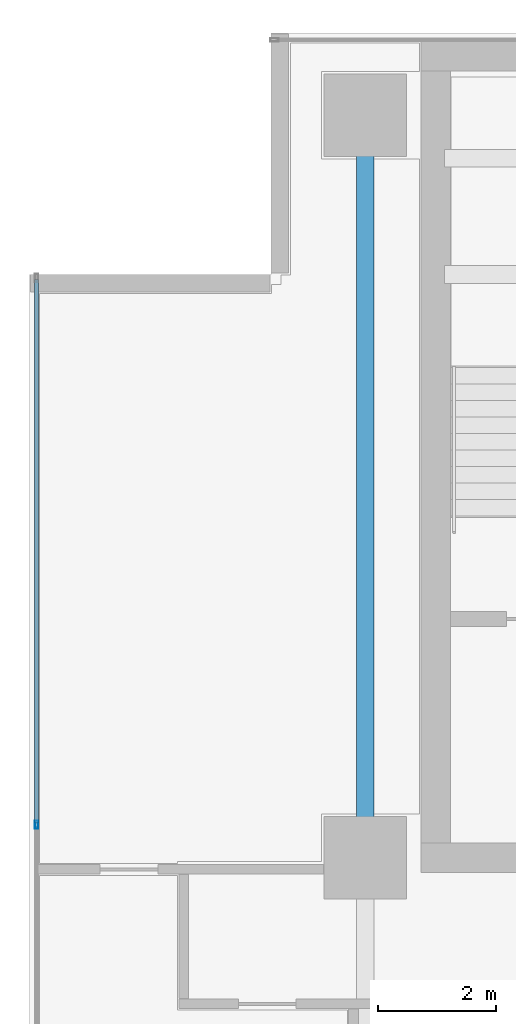
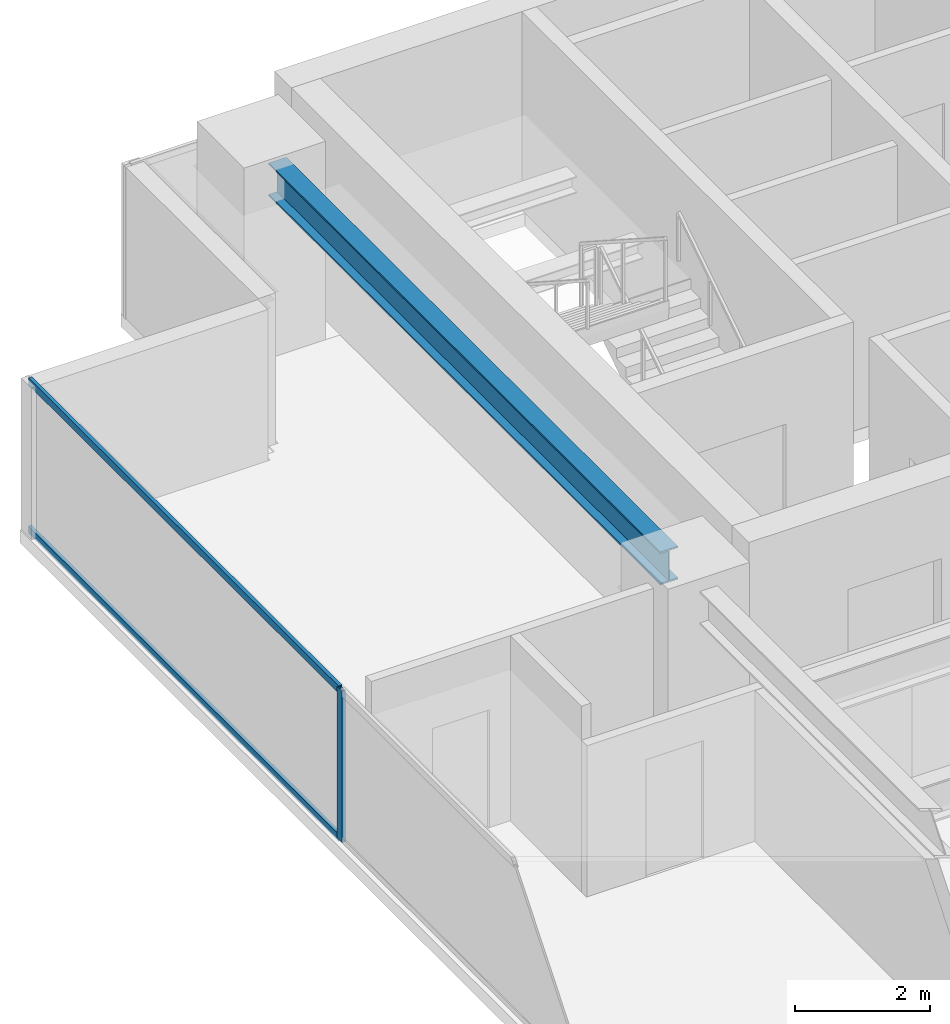
# One storey, part 9 of 26: 3 members, 1 beam, 1 element without a shape of its own.
"""IFC4 building model written with IfcOpenShell, lengths in metres."""

from ifc_helpers import new_model, si_unit, direction, frame, origin, origin_2d, place, context, subcontext, project, spatial, hollow_rectangle, i_section, extrude, source, transform, mapped, material, layer, layer_set, material_profile, profile_set, type_object, element, aggregate, save


model = new_model("IFC4")

# Units and contexts
model_context = context("Model", 3, precision=1e-05, world=origin(), true_north=direction((0.0, 1.0)))
body_context = subcontext(model_context, "Body", "Model", "MODEL_VIEW")
ifc_project = project(units=[si_unit("LENGTHUNIT", "METRE"), si_unit("AREAUNIT", "SQUARE_METRE"), si_unit("VOLUMEUNIT", "CUBIC_METRE"), si_unit("PLANEANGLEUNIT", "RADIAN"), si_unit("MASSUNIT", "GRAM", prefix="KILO")], contexts=[model_context])

# Site, building, storey
site_placement = place(None, origin())
site = spatial("IfcSite", under=ifc_project, at=site_placement, CompositionType="ELEMENT")
building_placement = place(site_placement, origin())
building = spatial("IfcBuilding", under=site, at=building_placement, Name="Sumidabori Civic Tower", CompositionType="ELEMENT")
storey_placement = place(building_placement, frame((0.0, 0.0, 261.199951171875)))
storey = spatial("IfcBuildingStorey", under=building, at=storey_placement, Name="L68", CompositionType="ELEMENT", Elevation=261.199951171875)

# Beam
ifc_material_1 = material(Name="Steel SN490", Category="steel")
ifc_material_profile_1 = material_profile(ifc_material_1, i_section(OverallWidth=0.300048828125, OverallDepth=0.60009765625, WebThickness=0.015380859375, FlangeThickness=0.030029296875, at=origin_2d()), Name="HE 600 B")
ifc_profile_set_1 = profile_set([ifc_material_profile_1], Name="Steel SN490")
beam_type = type_object("IfcBeamType", Name="BM-GIRD-600", PredefinedType="BEAM", material=ifc_profile_set_1)
shared_shape_1 = source(origin(), body_context, "Body", "SweptSolid", [
    extrude(i_section(OverallWidth=0.300048828125, OverallDepth=0.60009765625, WebThickness=0.015380859375, FlangeThickness=0.030029296875, at=origin_2d()), origin(), (0.0, 0.0, 1.0), 11.64013671875),
])
beam_placement = place(storey_placement, frame((-16.800048828125, 10.679931640625, 3.070068359375), z_axis=(0.0, 1.0, 0.0), x_axis=(-1.0, 0.0, 0.0)))
element("IfcBeam", 1, at=beam_placement, inside=storey, type_object=beam_type, Name="Primary Girder L68 GY-11", PredefinedType="BEAM", context=body_context, shape_type="MappedRepresentation", body=[
    mapped(shared_shape_1, transform((0.0, 0.0, 0.0), x_axis=(1.0, 0.0, 0.0), y_axis=(0.0, 1.0, 0.0), z_axis=(0.0, 0.0, 1.0), scale=1.0)),
])

# Curtain wall, members
ifc_material_2 = material(Name="Anodised Bronze Aluminium AW-6063-T6", Category="aluminium")
ifc_layer = layer(ifc_material_2, 0.179931640625, Name="Anodised Bronze Aluminium AW-6063-T6")
ifc_layer_set = layer_set([ifc_layer], Name="Anodised Bronze Aluminium AW-6063-T6")
curtain_wall_type = type_object("IfcCurtainWallType", Name="CW-SYS-5", PredefinedType="NOTDEFINED", material=ifc_layer_set)
curtain_wall_placement = place(storey_placement, origin())
curtain_wall = element("IfcCurtainWall", 2, at=curtain_wall_placement, inside=storey, type_object=curtain_wall_type, Name="Curtain Wall CW:L68:R10", PredefinedType="NOTDEFINED")
ifc_material_profile_2 = material_profile(ifc_material_2, hollow_rectangle(XDim=0.06005859375, YDim=0.139892578125, WallThickness=0.0048828125, at=origin_2d()), Name="ALU MULLION 140x60")
ifc_profile_set_2 = profile_set([ifc_material_profile_2], Name="Anodised Bronze Aluminium AW-6063-T6")
member_type_1 = type_object("IfcMemberType", Name="CW-MUL-140", PredefinedType="MULLION", material=ifc_profile_set_2)
shared_shape_2 = source(origin(), body_context, "Body", "SweptSolid", [
    extrude(hollow_rectangle(XDim=0.06005859375, YDim=0.139892578125, WallThickness=0.0048828125, at=origin_2d()), origin(), (0.0, 0.0, 1.0), 2.75),
])
member_1_placement = place(storey_placement, frame((-22.3798828125, 10.756591796875, 0.0), z_axis=(0.0, 0.0, 1.0), x_axis=(1.0, 0.0, 0.0)))
member_1 = element("IfcMember", 3, at=member_1_placement, type_object=member_type_1, Name="CW-5 mullion 2", PredefinedType="MULLION", context=body_context, shape_type="MappedRepresentation", body=[
    mapped(shared_shape_2, transform((0.0, 0.0, 0.0), x_axis=(1.0, 0.0, 0.0), y_axis=(0.0, 1.0, 0.0), z_axis=(0.0, 0.0, 1.0), scale=1.0)),
])
ifc_material_profile_3 = material_profile(ifc_material_2, hollow_rectangle(XDim=0.06005859375, YDim=0.1298828125, WallThickness=0.0048828125, at=origin_2d()), Name="ALU TRANSOM 130x60")
ifc_profile_set_3 = profile_set([ifc_material_profile_3], Name="Anodised Bronze Aluminium AW-6063-T6")
member_type_2 = type_object("IfcMemberType", Name="CW-TRN-130", PredefinedType="USERDEFINED", material=ifc_profile_set_3)
shared_shape_3 = source(origin(), body_context, "Body", "SweptSolid", [
    extrude(hollow_rectangle(XDim=0.06005859375, YDim=0.1298828125, WallThickness=0.0048828125, at=origin_2d()), origin(), (0.0, 0.0, 1.0), 9.223388671875),
])
member_2_placement = place(storey_placement, frame((-22.3798828125, 20.010009765625, 0.030029296875), z_axis=(0.0, -1.0, 0.0), x_axis=(1.0, 0.0, 0.0)))
member_2 = element("IfcMember", 4, at=member_2_placement, type_object=member_type_2, Name="CW-5 transom 1.1", ObjectType="TRANSOM", PredefinedType="USERDEFINED", context=body_context, shape_type="MappedRepresentation", body=[
    mapped(shared_shape_3, transform((0.0, 0.0, 0.0), x_axis=(1.0, 0.0, 0.0), y_axis=(0.0, 1.0, 0.0), z_axis=(0.0, 0.0, 1.0), scale=1.0)),
])
member_3_placement = place(storey_placement, frame((-22.3798828125, 20.010009765625, 2.719970703125), z_axis=(0.0, -1.0, 0.0), x_axis=(1.0, 0.0, 0.0)))
member_3 = element("IfcMember", 5, at=member_3_placement, type_object=member_type_2, Name="CW-5 transom 1.2", ObjectType="TRANSOM", PredefinedType="USERDEFINED", context=body_context, shape_type="MappedRepresentation", body=[
    mapped(shared_shape_3, transform((0.0, 0.0, 0.0), x_axis=(1.0, 0.0, 0.0), y_axis=(0.0, 1.0, 0.0), z_axis=(0.0, 0.0, 1.0), scale=1.0)),
])
aggregate(curtain_wall, [member_1, member_2, member_3])

save(model, "model.ifc")
